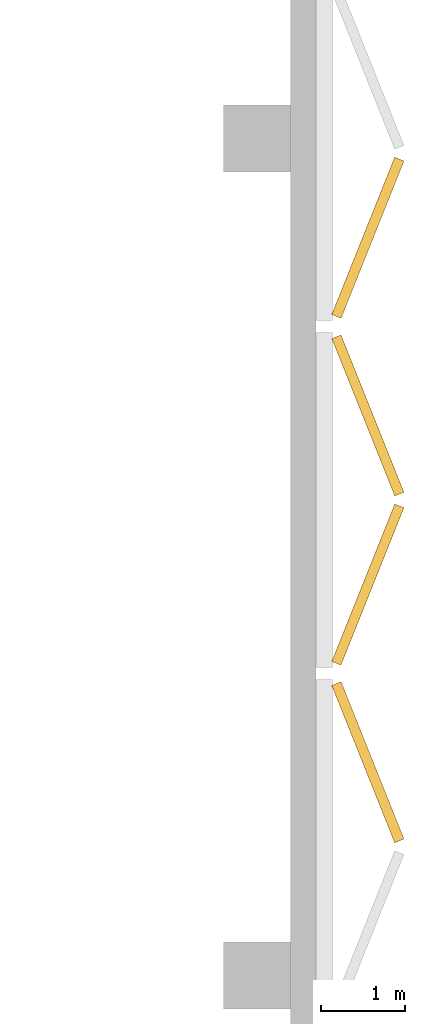
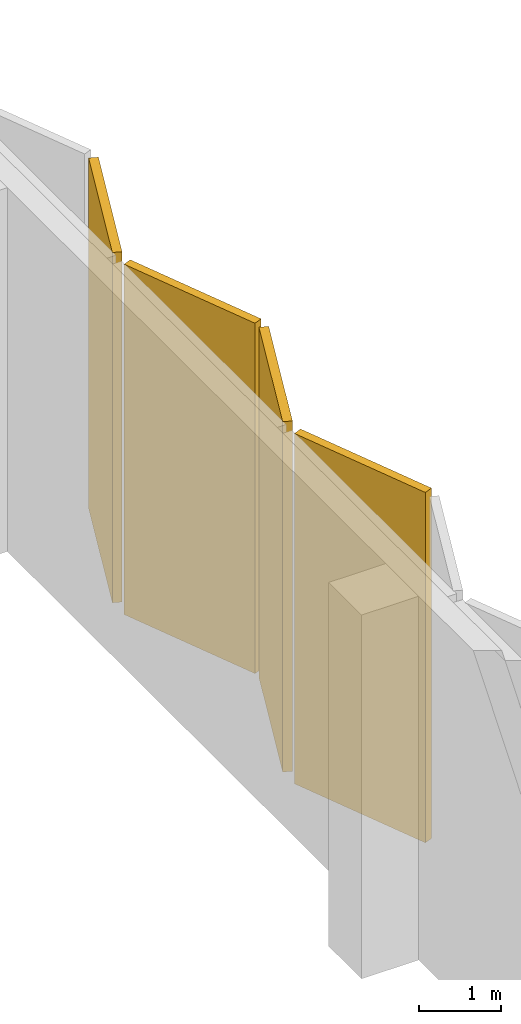
# One storey, part 32 of 35: 4 coverings.
"""IFC4 building model written with IfcOpenShell, lengths in metres."""

from ifc_helpers import new_model, si_unit, direction, frame, origin, origin_2d, place, context, subcontext, project, spatial, rectangle, extrude, material, layer, layer_set, type_object, element, save


model = new_model("IFC4")

# Units and contexts
model_context = context("Model", 3, precision=1e-05, world=origin(), true_north=direction((0.0, 1.0)))
body_context = subcontext(model_context, "Body", "Model", "MODEL_VIEW")
ifc_project = project(units=[si_unit("LENGTHUNIT", "METRE"), si_unit("AREAUNIT", "SQUARE_METRE"), si_unit("VOLUMEUNIT", "CUBIC_METRE"), si_unit("PLANEANGLEUNIT", "RADIAN"), si_unit("MASSUNIT", "GRAM", prefix="KILO")], contexts=[model_context])

# Site, building, storey
site_placement = place(None, origin())
site = spatial("IfcSite", under=ifc_project, at=site_placement, CompositionType="ELEMENT")
building_placement = place(site_placement, origin())
building = spatial("IfcBuilding", under=site, at=building_placement, Name="Jabali Bay Hotel Tower and Convention Centre", CompositionType="ELEMENT")
storey_placement = place(building_placement, frame((0.0, 0.0, 15.0)))
storey = spatial("IfcBuildingStorey", under=building, at=storey_placement, Name="L02", CompositionType="ELEMENT", Elevation=15.0)

# Coverings
ifc_material = material(Name="Precast concrete C40/50", Category="concrete")
ifc_layer = layer(ifc_material, 0.1201171875)
ifc_layer_set = layer_set([ifc_layer], Name="Precast concrete C40/50")
covering_type = type_object("IfcCoveringType", Name="CC Screen blade 4000 x 5200", PredefinedType="CLADDING", material=ifc_layer_set)
for number, where, z_axis, x_axis, name in (
    (1, (252.021728515625, 92.548583984375, 0.10009765625), (0.0, 0.0, 1.0), (0.371390668473, -0.928476694038, 0.0), "CC pierced screen E02.8 blade 2"),
    (2, (252.021728515625, 94.670654296875, 0.10009765625), (0.0, 0.0, 1.0), (0.371390668473, 0.928476694038, 0.0), "CC pierced screen E02.9 blade 1"),
    (3, (252.021728515625, 96.690673828125, 0.10009765625), (0.0, 0.0, 1.0), (0.371390668473, -0.928476694038, 0.0), "CC pierced screen E02.9 blade 2"),
    (4, (252.021728515625, 98.81298828125, 0.10009765625), (0.0, 0.0, 1.0), (0.371390668473, 0.928476694038, 0.0), "CC pierced screen E02.10 blade 1"),
):
    element("IfcCovering", number, at=place(storey_placement, frame(where, z_axis=z_axis, x_axis=x_axis)), inside=storey, type_object=covering_type, Name=name, PredefinedType="CLADDING", context=body_context, shape_type="SweptSolid", body=[
        extrude(rectangle(XDim=2.02490234375, YDim=0.1201171875, at=origin_2d()), origin(), (0.0, 0.0, 1.0), 5.199951171875),
    ])

save(model, "model.ifc")
